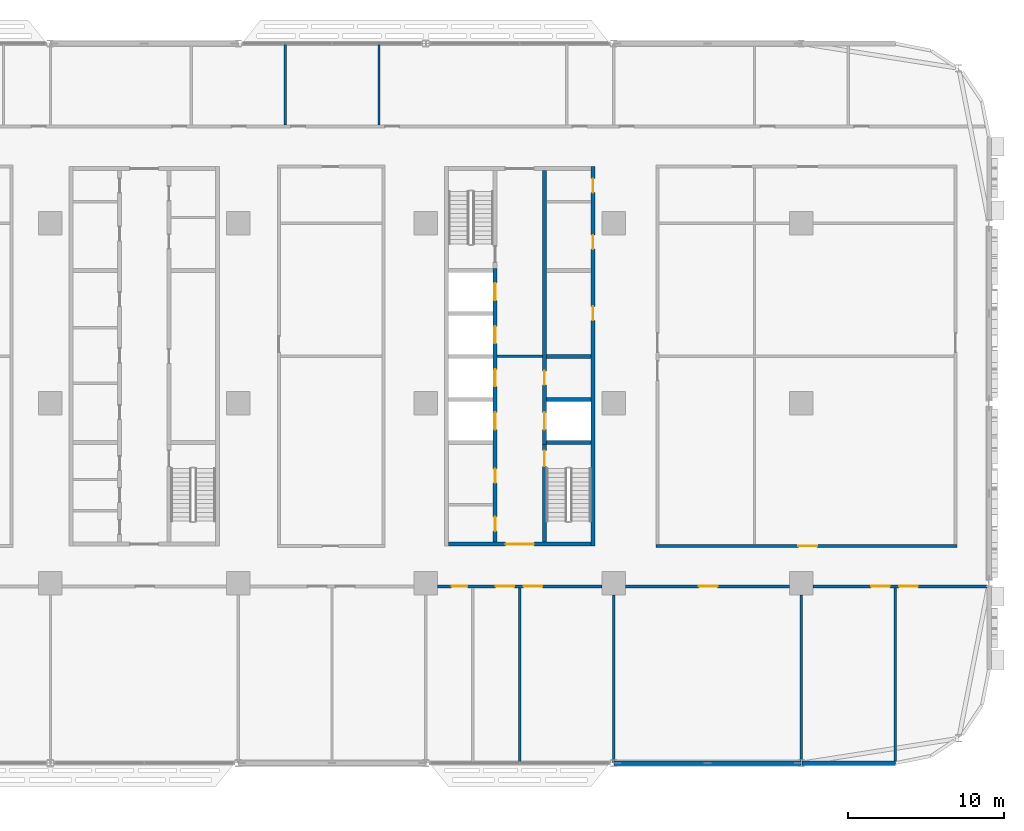
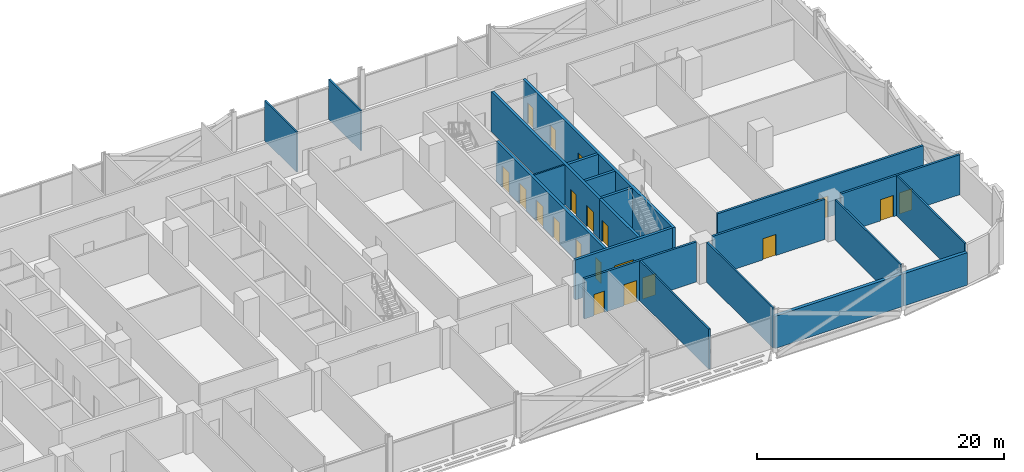
# One storey, part 17 of 30: 21 walls, 20 doors, 20 openings.
"""IFC4 building model written with IfcOpenShell, lengths in metres."""

from ifc_helpers import new_model, si_unit, direction, frame, frame_2d, origin, place, context, subcontext, project, spatial, rectangle, extrude, material, layer, layer_set, type_object, element, fill, save


model = new_model("IFC4")

# Units and contexts
model_context = context("Model", 3, precision=1e-05, world=origin(), true_north=direction((0.0, 1.0)))
body_context = subcontext(model_context, "Body", "Model", "MODEL_VIEW")
ifc_project = project(units=[si_unit("LENGTHUNIT", "METRE"), si_unit("AREAUNIT", "SQUARE_METRE"), si_unit("VOLUMEUNIT", "CUBIC_METRE"), si_unit("PLANEANGLEUNIT", "RADIAN"), si_unit("MASSUNIT", "GRAM", prefix="KILO")], contexts=[model_context])

# Site, building, storey
site_placement = place(None, origin())
site = spatial("IfcSite", under=ifc_project, at=site_placement, CompositionType="ELEMENT")
building_placement = place(site_placement, origin())
building = spatial("IfcBuilding", under=site, at=building_placement, Name="Mahtab Terrace Research Tower", CompositionType="ELEMENT")
storey_placement = place(building_placement, frame((0.0, 0.0, 50.300048828125)))
storey = spatial("IfcBuildingStorey", under=building, at=storey_placement, Name="L11", CompositionType="ELEMENT", Elevation=50.300048828125)

# Wall
ifc_material_1 = material(Name="Gypsum board partition")
ifc_layer_1 = layer(ifc_material_1, 0.14990234375)
ifc_layer_set_1 = layer_set([ifc_layer_1], Name="Core partition 150")
wall_type_1 = type_object("IfcWallType", Name="Core partition 150", PredefinedType="PARTITIONING", material=ifc_layer_set_1)
wall_1_placement = place(storey_placement, frame((22.550048828125, 3.0, 0.0), z_axis=(0.0, 0.0, 1.0), x_axis=(1.0, 0.0, 0.0)))
element("IfcWall", 1, at=wall_1_placement, inside=storey, type_object=wall_type_1, Name="Core wall C ffl", PredefinedType="PARTITIONING", context=body_context, shape_type="SweptSolid", body=[
    extrude(rectangle(XDim=2.89990234375, YDim=0.14990234375, at=frame_2d((1.449951171875, 0.0))), origin(), (0.0, 0.0, 1.0), 3.9599609375),
])

# Wall, openings, doors
ifc_material_2 = material(Name="Concrete C70/85", Category="concrete")
ifc_layer_2 = layer(ifc_material_2, 0.25)
ifc_layer_set_2 = layer_set([ifc_layer_2], Name="Core wall 250")
wall_type_2 = type_object("IfcWallType", Name="Core wall 250", PredefinedType="SOLIDWALL", material=ifc_layer_set_2)
wall_2_placement = place(storey_placement, frame((28.675048828125, -9.125, 0.0), z_axis=(0.0, 0.0, 1.0), x_axis=(0.0, 1.0, 0.0)))
wall_2 = element("IfcWall", 2, at=wall_2_placement, inside=storey, type_object=wall_type_2, Name="Core wall C outerE", PredefinedType="SOLIDWALL", context=body_context, shape_type="SweptSolid", body=[
    extrude(rectangle(XDim=24.25, YDim=0.25, at=frame_2d((12.125, 0.0))), origin(), (0.0, 0.0, 1.0), 3.9599609375),
])
opening_1_placement = place(wall_2_placement, frame((14.425048828125, 0.0, 0.0)))
opening_1 = element("IfcOpeningElement", 3, at=opening_1_placement, cuts=wall_2, Name="Opening C-R2", PredefinedType="OPENING", context=body_context, shape_type="SweptSolid", body=[
    extrude(rectangle(XDim=0.89990234375, YDim=2.10009765625, at=frame_2d((0.449951171875, 1.050048828125))), frame((0.0, 0.135009765625, 0.0), z_axis=(0.0, -1.0, 0.0), x_axis=(1.0, 0.0, 0.0)), (0.0, 0.0, 1.0), 0.27001953125),
])
opening_2_placement = place(wall_2_placement, frame((18.97509765625, 0.0, 0.0)))
opening_2 = element("IfcOpeningElement", 4, at=opening_2_placement, cuts=wall_2, Name="Opening C-R5", PredefinedType="OPENING", context=body_context, shape_type="SweptSolid", body=[
    extrude(rectangle(XDim=0.89990234375, YDim=2.10009765625, at=frame_2d((0.449951171875, 1.050048828125))), frame((0.0, 0.135009765625, 0.0), z_axis=(0.0, -1.0, 0.0), x_axis=(1.0, 0.0, 0.0)), (0.0, 0.0, 1.0), 0.27001953125),
])
opening_3_placement = place(wall_2_placement, frame((22.58740234375, 0.0, 0.0)))
opening_3 = element("IfcOpeningElement", 5, at=opening_3_placement, cuts=wall_2, Name="Opening C-R6", PredefinedType="OPENING", context=body_context, shape_type="SweptSolid", body=[
    extrude(rectangle(XDim=0.89990234375, YDim=2.10009765625, at=frame_2d((0.449951171875, 1.050048828125))), frame((0.0, 0.135009765625, 0.0), z_axis=(0.0, -1.0, 0.0), x_axis=(1.0, 0.0, 0.0)), (0.0, 0.0, 1.0), 0.27001953125),
])
ifc_material_3 = material(Name="Steel fire door", Category="steel")
door_type_1 = type_object("IfcDoorType", Name="Room door 900x2100 1 HR", OperationType="NOTDEFINED", PredefinedType="DOOR", material=ifc_material_3)
door_1_placement = place(opening_1_placement, origin())
door_1 = element("IfcDoor", 6, at=door_1_placement, inside=storey, type_object=door_type_1, Name="Plant room door", OperationType="SINGLE_SWING_RIGHT", OverallHeight=2.10009765625, OverallWidth=0.89990234375, PredefinedType="DOOR", context=body_context, shape_type="SweptSolid", body=[
    extrude(rectangle(XDim=0.89990234375, YDim=2.10009765625, at=frame_2d((0.449951171875, 1.050048828125))), frame((0.0, 0.02490234375, 0.0), z_axis=(0.0, -1.0, 0.0), x_axis=(1.0, 0.0, 0.0)), (0.0, 0.0, 1.0), 0.050048828125),
])
fill(opening_1, door_1)
door_2_placement = place(opening_2_placement, origin())
door_2 = element("IfcDoor", 7, at=door_2_placement, inside=storey, type_object=door_type_1, Name="IT equipment room door", OperationType="SINGLE_SWING_LEFT", OverallHeight=2.10009765625, OverallWidth=0.89990234375, PredefinedType="DOOR", context=body_context, shape_type="SweptSolid", body=[
    extrude(rectangle(XDim=0.89990234375, YDim=2.10009765625, at=frame_2d((0.449951171875, 1.050048828125))), frame((0.0, 0.02490234375, 0.0), z_axis=(0.0, -1.0, 0.0), x_axis=(1.0, 0.0, 0.0)), (0.0, 0.0, 1.0), 0.050048828125),
])
fill(opening_2, door_2)
door_3_placement = place(opening_3_placement, origin())
door_3 = element("IfcDoor", 8, at=door_3_placement, inside=storey, type_object=door_type_1, Name="Electrical riser room door", OperationType="SINGLE_SWING_RIGHT", OverallHeight=2.10009765625, OverallWidth=0.89990234375, PredefinedType="DOOR", context=body_context, shape_type="SweptSolid", body=[
    extrude(rectangle(XDim=0.89990234375, YDim=2.10009765625, at=frame_2d((0.449951171875, 1.050048828125))), frame((0.0, 0.02490234375, 0.0), z_axis=(0.0, -1.0, 0.0), x_axis=(1.0, 0.0, 0.0)), (0.0, 0.0, 1.0), 0.050048828125),
])
fill(opening_3, door_3)

# Wall, opening, door
wall_3_placement = place(storey_placement, frame((28.550048828125, -9.0, 0.0), z_axis=(0.0, 0.0, 1.0), x_axis=(-1.0, 0.0, 0.0)))
wall_3 = element("IfcWall", 9, at=wall_3_placement, inside=storey, type_object=wall_type_2, Name="Core wall C endS", PredefinedType="SOLIDWALL", context=body_context, shape_type="SweptSolid", body=[
    extrude(rectangle(XDim=9.10009765625, YDim=0.25, at=frame_2d((4.550048828125, 0.0))), origin(), (0.0, 0.0, 1.0), 3.9599609375),
])
opening_4_placement = place(wall_3_placement, frame((3.64990234375, 0.0, 0.0)))
opening_4 = element("IfcOpeningElement", 10, at=opening_4_placement, cuts=wall_3, Name="Opening C-S1", PredefinedType="OPENING", context=body_context, shape_type="SweptSolid", body=[
    extrude(rectangle(XDim=1.800048828125, YDim=2.10009765625, at=frame_2d((0.89990234375, 1.050048828125))), frame((0.0, 0.135009765625, 0.0), z_axis=(0.0, -1.0, 0.0), x_axis=(1.0, 0.0, 0.0)), (0.0, 0.0, 1.0), 0.27001953125),
])
door_type_2 = type_object("IfcDoorType", Name="Lobby double door 1800x2100 1 HR", OperationType="DOUBLE_DOOR_SINGLE_SWING", PredefinedType="DOOR", material=ifc_material_3)
door_4_placement = place(opening_4_placement, origin())
door_4 = element("IfcDoor", 11, at=door_4_placement, inside=storey, type_object=door_type_2, Name="Core entrance door C S", OperationType="DOUBLE_DOOR_SINGLE_SWING", OverallHeight=2.10009765625, OverallWidth=1.800048828125, PredefinedType="DOOR", context=body_context, shape_type="SweptSolid", body=[
    extrude(rectangle(XDim=1.800048828125, YDim=2.10009765625, at=frame_2d((0.89990234375, 1.050048828125))), frame((0.0, 0.02490234375, 0.0), z_axis=(0.0, -1.0, 0.0), x_axis=(1.0, 0.0, 0.0)), (0.0, 0.0, 1.0), 0.050048828125),
])
fill(opening_4, door_4)

# Wall, openings, doors
wall_4_placement = place(storey_placement, frame((22.425048828125, -8.875, 0.0), z_axis=(0.0, 0.0, 1.0), x_axis=(0.0, 1.0, 0.0)))
wall_4 = element("IfcWall", 12, at=wall_4_placement, inside=storey, type_object=wall_type_2, Name="Core wall C innerWSL", PredefinedType="SOLIDWALL", context=body_context, shape_type="SweptSolid", body=[
    extrude(rectangle(XDim=17.5, YDim=0.25, at=frame_2d((8.75, 0.0))), origin(), (0.0, 0.0, 1.0), 3.9599609375),
])
opening_5_placement = place(wall_4_placement, frame((7.199951171875, 0.0, 0.0)))
opening_5 = element("IfcOpeningElement", 13, at=opening_5_placement, cuts=wall_4, Name="Opening LD17-L11", PredefinedType="OPENING", context=body_context, shape_type="SweptSolid", body=[
    extrude(rectangle(XDim=1.10009765625, YDim=2.10009765625, at=frame_2d((0.550048828125, 1.050048828125))), frame((0.0, 0.135009765625, 0.0), z_axis=(0.0, -1.0, 0.0), x_axis=(1.0, 0.0, 0.0)), (0.0, 0.0, 1.0), 0.27001953125),
])
opening_6_placement = place(wall_4_placement, frame((9.949951171875, 0.0, 0.0)))
opening_6 = element("IfcOpeningElement", 14, at=opening_6_placement, cuts=wall_4, Name="Opening LD18-L11", PredefinedType="OPENING", context=body_context, shape_type="SweptSolid", body=[
    extrude(rectangle(XDim=1.10009765625, YDim=2.10009765625, at=frame_2d((0.550048828125, 1.050048828125))), frame((0.0, 0.135009765625, 0.0), z_axis=(0.0, -1.0, 0.0), x_axis=(1.0, 0.0, 0.0)), (0.0, 0.0, 1.0), 0.27001953125),
])
opening_7_placement = place(wall_4_placement, frame((12.699951171875, 0.0, 0.0)))
opening_7 = element("IfcOpeningElement", 15, at=opening_7_placement, cuts=wall_4, Name="Opening LD19-L11", PredefinedType="OPENING", context=body_context, shape_type="SweptSolid", body=[
    extrude(rectangle(XDim=1.10009765625, YDim=2.10009765625, at=frame_2d((0.550048828125, 1.050048828125))), frame((0.0, 0.135009765625, 0.0), z_axis=(0.0, -1.0, 0.0), x_axis=(1.0, 0.0, 0.0)), (0.0, 0.0, 1.0), 0.27001953125),
])
opening_8_placement = place(wall_4_placement, frame((15.449951171875, 0.0, 0.0)))
opening_8 = element("IfcOpeningElement", 16, at=opening_8_placement, cuts=wall_4, Name="Opening LD20-L11", PredefinedType="OPENING", context=body_context, shape_type="SweptSolid", body=[
    extrude(rectangle(XDim=1.10009765625, YDim=2.10009765625, at=frame_2d((0.550048828125, 1.050048828125))), frame((0.0, 0.135009765625, 0.0), z_axis=(0.0, -1.0, 0.0), x_axis=(1.0, 0.0, 0.0)), (0.0, 0.0, 1.0), 0.27001953125),
])
opening_9_placement = place(wall_4_placement, frame((0.71240234375, 0.0, 0.0)))
opening_9 = element("IfcOpeningElement", 17, at=opening_9_placement, cuts=wall_4, Name="Opening C-R3", PredefinedType="OPENING", context=body_context, shape_type="SweptSolid", body=[
    extrude(rectangle(XDim=0.89990234375, YDim=2.10009765625, at=frame_2d((0.449951171875, 1.050048828125))), frame((0.0, 0.135009765625, 0.0), z_axis=(0.0, -1.0, 0.0), x_axis=(1.0, 0.0, 0.0)), (0.0, 0.0, 1.0), 0.27001953125),
])
opening_10_placement = place(wall_4_placement, frame((3.78759765625, 0.0, 0.0)))
opening_10 = element("IfcOpeningElement", 18, at=opening_10_placement, cuts=wall_4, Name="Opening C-R4", PredefinedType="OPENING", context=body_context, shape_type="SweptSolid", body=[
    extrude(rectangle(XDim=0.89990234375, YDim=2.10009765625, at=frame_2d((0.449951171875, 1.050048828125))), frame((0.0, 0.135009765625, 0.0), z_axis=(0.0, -1.0, 0.0), x_axis=(1.0, 0.0, 0.0)), (0.0, 0.0, 1.0), 0.27001953125),
])
ifc_material_4 = material(Name="Stainless steel AISI 304", Category="steel")
door_type_3 = type_object("IfcDoorType", Name="Landing door 1100x2100", OperationType="DOUBLE_DOOR_SLIDING", PredefinedType="DOOR", material=ifc_material_4)
door_5_placement = place(opening_5_placement, origin())
door_5 = element("IfcDoor", 19, at=door_5_placement, inside=storey, type_object=door_type_3, Name="Landing door SV1 L11", OperationType="DOUBLE_DOOR_SLIDING", OverallHeight=2.10009765625, OverallWidth=1.10009765625, PredefinedType="DOOR", context=body_context, shape_type="SweptSolid", body=[
    extrude(rectangle(XDim=1.10009765625, YDim=2.10009765625, at=frame_2d((0.550048828125, 1.050048828125))), frame((0.0, 0.02490234375, 0.0), z_axis=(0.0, -1.0, 0.0), x_axis=(1.0, 0.0, 0.0)), (0.0, 0.0, 1.0), 0.050048828125),
])
fill(opening_5, door_5)
door_6_placement = place(opening_6_placement, origin())
door_6 = element("IfcDoor", 20, at=door_6_placement, inside=storey, type_object=door_type_3, Name="Landing door SV2 L11", OperationType="DOUBLE_DOOR_SLIDING", OverallHeight=2.10009765625, OverallWidth=1.10009765625, PredefinedType="DOOR", context=body_context, shape_type="SweptSolid", body=[
    extrude(rectangle(XDim=1.10009765625, YDim=2.10009765625, at=frame_2d((0.550048828125, 1.050048828125))), frame((0.0, 0.02490234375, 0.0), z_axis=(0.0, -1.0, 0.0), x_axis=(1.0, 0.0, 0.0)), (0.0, 0.0, 1.0), 0.050048828125),
])
fill(opening_6, door_6)
door_7_placement = place(opening_7_placement, origin())
door_7 = element("IfcDoor", 21, at=door_7_placement, inside=storey, type_object=door_type_3, Name="Landing door FF1 L11", OperationType="DOUBLE_DOOR_SLIDING", OverallHeight=2.10009765625, OverallWidth=1.10009765625, PredefinedType="DOOR", context=body_context, shape_type="SweptSolid", body=[
    extrude(rectangle(XDim=1.10009765625, YDim=2.10009765625, at=frame_2d((0.550048828125, 1.050048828125))), frame((0.0, 0.02490234375, 0.0), z_axis=(0.0, -1.0, 0.0), x_axis=(1.0, 0.0, 0.0)), (0.0, 0.0, 1.0), 0.050048828125),
])
fill(opening_7, door_7)
door_8_placement = place(opening_8_placement, origin())
door_8 = element("IfcDoor", 22, at=door_8_placement, inside=storey, type_object=door_type_3, Name="Landing door FF2 L11", OperationType="DOUBLE_DOOR_SLIDING", OverallHeight=2.10009765625, OverallWidth=1.10009765625, PredefinedType="DOOR", context=body_context, shape_type="SweptSolid", body=[
    extrude(rectangle(XDim=1.10009765625, YDim=2.10009765625, at=frame_2d((0.550048828125, 1.050048828125))), frame((0.0, 0.02490234375, 0.0), z_axis=(0.0, -1.0, 0.0), x_axis=(1.0, 0.0, 0.0)), (0.0, 0.0, 1.0), 0.050048828125),
])
fill(opening_8, door_8)
door_9_placement = place(opening_9_placement, origin())
door_9 = element("IfcDoor", 23, at=door_9_placement, inside=storey, type_object=door_type_1, Name="Accessible WC door", OperationType="SINGLE_SWING_LEFT", OverallHeight=2.10009765625, OverallWidth=0.89990234375, PredefinedType="DOOR", context=body_context, shape_type="SweptSolid", body=[
    extrude(rectangle(XDim=0.89990234375, YDim=2.10009765625, at=frame_2d((0.449951171875, 1.050048828125))), frame((0.0, 0.02490234375, 0.0), z_axis=(0.0, -1.0, 0.0), x_axis=(1.0, 0.0, 0.0)), (0.0, 0.0, 1.0), 0.050048828125),
])
fill(opening_9, door_9)
door_10_placement = place(opening_10_placement, origin())
door_10 = element("IfcDoor", 24, at=door_10_placement, inside=storey, type_object=door_type_1, Name="WC block door", OperationType="SINGLE_SWING_RIGHT", OverallHeight=2.10009765625, OverallWidth=0.89990234375, PredefinedType="DOOR", context=body_context, shape_type="SweptSolid", body=[
    extrude(rectangle(XDim=0.89990234375, YDim=2.10009765625, at=frame_2d((0.449951171875, 1.050048828125))), frame((0.0, 0.02490234375, 0.0), z_axis=(0.0, -1.0, 0.0), x_axis=(1.0, 0.0, 0.0)), (0.0, 0.0, 1.0), 0.050048828125),
])
fill(opening_10, door_10)

# Wall, opening, door
wall_5_placement = place(storey_placement, frame((25.574951171875, -8.875, 0.0), z_axis=(0.0, 0.0, 1.0), x_axis=(0.0, 1.0, 0.0)))
wall_5 = element("IfcWall", 25, at=wall_5_placement, inside=storey, type_object=wall_type_2, Name="Core wall C innerES", PredefinedType="SOLIDWALL", context=body_context, shape_type="SweptSolid", body=[
    extrude(rectangle(XDim=6.25, YDim=0.25, at=frame_2d((3.125, 0.0))), origin(), (0.0, 0.0, 1.0), 3.9599609375),
])
opening_11_placement = place(wall_5_placement, frame((4.85009765625, 0.0, 0.0)))
opening_11 = element("IfcOpeningElement", 26, at=opening_11_placement, cuts=wall_5, Name="Opening C-ST4", PredefinedType="OPENING", context=body_context, shape_type="SweptSolid", body=[
    extrude(rectangle(XDim=1.0, YDim=2.10009765625, at=frame_2d((0.5, 1.050048828125))), frame((0.0, 0.135009765625, 0.0), z_axis=(0.0, -1.0, 0.0), x_axis=(1.0, 0.0, 0.0)), (0.0, 0.0, 1.0), 0.27001953125),
])
door_type_4 = type_object("IfcDoorType", Name="Stair door 1000x2100 1.5 HR", OperationType="NOTDEFINED", PredefinedType="DOOR", material=ifc_material_3)
door_11_placement = place(opening_11_placement, origin())
door_11 = element("IfcDoor", 27, at=door_11_placement, inside=storey, type_object=door_type_4, Name="Stair door ST4 L11", OperationType="SINGLE_SWING_RIGHT", OverallHeight=2.10009765625, OverallWidth=1.0, PredefinedType="DOOR", context=body_context, shape_type="SweptSolid", body=[
    extrude(rectangle(XDim=1.0, YDim=2.10009765625, at=frame_2d((0.5, 1.050048828125))), frame((0.0, 0.02490234375, 0.0), z_axis=(0.0, -1.0, 0.0), x_axis=(1.0, 0.0, 0.0)), (0.0, 0.0, 1.0), 0.050048828125),
])
fill(opening_11, door_11)

# Wall, openings, doors
wall_6_placement = place(storey_placement, frame((25.574951171875, 14.875, 0.0), z_axis=(0.0, 0.0, 1.0), x_axis=(0.0, -1.0, 0.0)))
wall_6 = element("IfcWall", 28, at=wall_6_placement, inside=storey, type_object=wall_type_2, Name="Core wall C innerELN", PredefinedType="SOLIDWALL", context=body_context, shape_type="SweptSolid", body=[
    extrude(rectangle(XDim=17.5, YDim=0.25, at=frame_2d((8.75, 0.0))), origin(), (0.0, 0.0, 1.0), 3.9599609375),
])
opening_12_placement = place(wall_6_placement, frame((15.449951171875, 0.0, 0.0)))
opening_12 = element("IfcOpeningElement", 29, at=opening_12_placement, cuts=wall_6, Name="Opening LD21-L11", PredefinedType="OPENING", context=body_context, shape_type="SweptSolid", body=[
    extrude(rectangle(XDim=1.10009765625, YDim=2.10009765625, at=frame_2d((0.550048828125, 1.050048828125))), frame((0.0, 0.135009765625, 0.0), z_axis=(0.0, -1.0, 0.0), x_axis=(1.0, 0.0, 0.0)), (0.0, 0.0, 1.0), 0.27001953125),
])
opening_13_placement = place(wall_6_placement, frame((12.800048828125, 0.0, 0.0)))
opening_13 = element("IfcOpeningElement", 30, at=opening_13_placement, cuts=wall_6, Name="Opening C-R1", PredefinedType="OPENING", context=body_context, shape_type="SweptSolid", body=[
    extrude(rectangle(XDim=0.89990234375, YDim=2.10009765625, at=frame_2d((0.449951171875, 1.050048828125))), frame((0.0, 0.135009765625, 0.0), z_axis=(0.0, -1.0, 0.0), x_axis=(1.0, 0.0, 0.0)), (0.0, 0.0, 1.0), 0.27001953125),
])
door_12_placement = place(opening_12_placement, origin())
door_12 = element("IfcDoor", 31, at=door_12_placement, inside=storey, type_object=door_type_3, Name="Landing door SV3 L11", OperationType="DOUBLE_DOOR_SLIDING", OverallHeight=2.10009765625, OverallWidth=1.10009765625, PredefinedType="DOOR", context=body_context, shape_type="SweptSolid", body=[
    extrude(rectangle(XDim=1.10009765625, YDim=2.10009765625, at=frame_2d((0.550048828125, 1.050048828125))), frame((0.0, 0.02490234375, 0.0), z_axis=(0.0, -1.0, 0.0), x_axis=(1.0, 0.0, 0.0)), (0.0, 0.0, 1.0), 0.050048828125),
])
fill(opening_12, door_12)
door_13_placement = place(opening_13_placement, origin())
door_13 = element("IfcDoor", 32, at=door_13_placement, inside=storey, type_object=door_type_1, Name="Plant room door", OperationType="SINGLE_SWING_LEFT", OverallHeight=2.10009765625, OverallWidth=0.89990234375, PredefinedType="DOOR", context=body_context, shape_type="SweptSolid", body=[
    extrude(rectangle(XDim=0.89990234375, YDim=2.10009765625, at=frame_2d((0.449951171875, 1.050048828125))), frame((0.0, 0.02490234375, 0.0), z_axis=(0.0, -1.0, 0.0), x_axis=(1.0, 0.0, 0.0)), (0.0, 0.0, 1.0), 0.050048828125),
])
fill(opening_13, door_13)

# Walls
for number, where, z_axis, x_axis, name in (
    (33, (25.699951171875, -2.5, 0.0), (0.0, 0.0, 1.0), (1.0, 0.0, 0.0), "Core wall C divE0"),
    (34, (25.699951171875, 0.25, 0.0), (0.0, 0.0, 1.0), (1.0, 0.0, 0.0), "Core wall C divE1"),
    (35, (25.699951171875, 3.0, 0.0), (0.0, 0.0, 1.0), (1.0, 0.0, 0.0), "Core wall C divE2"),
):
    element("IfcWall", number, at=place(storey_placement, frame(where, z_axis=z_axis, x_axis=x_axis)), inside=storey, type_object=wall_type_2, Name=name, PredefinedType="SOLIDWALL", context=body_context, shape_type="SweptSolid", body=[
        extrude(rectangle(XDim=2.85009765625, YDim=0.25, at=frame_2d((1.425048828125, 0.0))), origin(), (0.0, 0.0, 1.0), 3.9599609375),
    ])
ifc_material_5 = material(Name="Black aluminium cladding panel", Category="aluminium")
ifc_layer_3 = layer(ifc_material_5, 0.300048828125)
ifc_layer_set_3 = layer_set([ifc_layer_3], Name="Opaque facade wall 300")
wall_type_3 = type_object("IfcWallType", Name="Opaque facade wall 300", PredefinedType="NOTDEFINED", material=ifc_layer_set_3)
wall_7_placement = place(storey_placement, frame((30.02392578125, -23.0, 0.0), z_axis=(0.0, 0.0, 1.0), x_axis=(1.0, 0.0, 0.0)))
element("IfcWall", 36, at=wall_7_placement, inside=storey, type_object=wall_type_3, Name="Opaque facade wall L11 S29", PredefinedType="NOTDEFINED", context=body_context, shape_type="SweptSolid", body=[
    extrude(rectangle(XDim=11.9521484375, YDim=0.300048828125, at=frame_2d((5.97607421875, 0.0))), origin(), (0.0, 0.0, 1.0), 3.203125),
])
wall_8_placement = place(storey_placement, frame((42.02392578125, -23.0, 0.0), z_axis=(0.0, 0.0, 1.0), x_axis=(1.0, 0.0, 0.0)))
element("IfcWall", 37, at=wall_8_placement, inside=storey, type_object=wall_type_3, Name="Opaque facade wall L11 S30", PredefinedType="NOTDEFINED", context=body_context, shape_type="SweptSolid", body=[
    extrude(rectangle(XDim=5.97607421875, YDim=0.300048828125, at=frame_2d((2.988037109375, 0.0))), origin(), (0.0, 0.0, 1.0), 3.203125),
])

# Wall, openings, doors
ifc_material_6 = material(Name="Gypsum board corridor wall on steel studs", Category="steel")
ifc_layer_4 = layer(ifc_material_6, 0.199951171875)
ifc_layer_set_4 = layer_set([ifc_layer_4], Name="WALL CORRIDOR 200")
wall_type_4 = type_object("IfcWallType", Name="WALL CORRIDOR 200", PredefinedType="PARTITIONING", material=ifc_layer_set_4)
wall_9_placement = place(storey_placement, frame((18.75, -11.699951171875, 0.0), z_axis=(0.0, 0.0, 1.0), x_axis=(1.0, 0.0, 0.0)))
wall_9 = element("IfcWall", 38, at=wall_9_placement, inside=storey, type_object=wall_type_4, Name="L11-W006", PredefinedType="PARTITIONING", context=body_context, shape_type="SweptSolid", body=[
    extrude(rectangle(XDim=10.5, YDim=0.199951171875, at=frame_2d((5.25, 0.0))), origin(), (0.0, 0.0, 1.0), 3.9599609375),
])
opening_14_placement = place(wall_9_placement, frame((0.89990234375, 0.0, 0.0)))
opening_14 = element("IfcOpeningElement", 39, at=opening_14_placement, cuts=wall_9, Name="Opening L11-110", PredefinedType="OPENING", context=body_context, shape_type="SweptSolid", body=[
    extrude(rectangle(XDim=1.0, YDim=2.10009765625, at=frame_2d((0.5, 1.050048828125))), frame((0.0, 0.10986328125, 0.0), z_axis=(0.0, -1.0, 0.0), x_axis=(1.0, 0.0, 0.0)), (0.0, 0.0, 1.0), 0.219970703125),
])
opening_15_placement = place(wall_9_placement, frame((3.699951171875, 0.0, 0.0)))
opening_15 = element("IfcOpeningElement", 40, at=opening_15_placement, cuts=wall_9, Name="Opening L11-111", PredefinedType="OPENING", context=body_context, shape_type="SweptSolid", body=[
    extrude(rectangle(XDim=1.199951171875, YDim=2.10009765625, at=frame_2d((0.60009765625, 1.050048828125))), frame((0.0, 0.10986328125, 0.0), z_axis=(0.0, -1.0, 0.0), x_axis=(1.0, 0.0, 0.0)), (0.0, 0.0, 1.0), 0.219970703125),
])
opening_16_placement = place(wall_9_placement, frame((5.5, 0.0, 0.0)))
opening_16 = element("IfcOpeningElement", 41, at=opening_16_placement, cuts=wall_9, Name="Opening L11-112", PredefinedType="OPENING", context=body_context, shape_type="SweptSolid", body=[
    extrude(rectangle(XDim=1.199951171875, YDim=2.10009765625, at=frame_2d((0.60009765625, 1.050048828125))), frame((0.0, 0.10986328125, 0.0), z_axis=(0.0, -1.0, 0.0), x_axis=(1.0, 0.0, 0.0)), (0.0, 0.0, 1.0), 0.219970703125),
])
ifc_material_7 = material(Name="Timber door leaf in steel frame", Category="steel")
door_type_5 = type_object("IfcDoorType", Name="DOOR 1000X2100 FD30S", OperationType="SINGLE_SWING_LEFT", PredefinedType="DOOR", material=ifc_material_7)
door_14_placement = place(opening_14_placement, origin())
door_14 = element("IfcDoor", 42, at=door_14_placement, inside=storey, type_object=door_type_5, Name="Door L11-110", OperationType="SINGLE_SWING_RIGHT", OverallHeight=2.10009765625, OverallWidth=1.0, PredefinedType="DOOR", context=body_context, shape_type="SweptSolid", body=[
    extrude(rectangle(XDim=1.0, YDim=2.10009765625, at=frame_2d((0.5, 1.050048828125))), frame((0.0, 0.02490234375, 0.0), z_axis=(0.0, -1.0, 0.0), x_axis=(1.0, 0.0, 0.0)), (0.0, 0.0, 1.0), 0.050048828125),
])
fill(opening_14, door_14)
door_type_6 = type_object("IfcDoorType", Name="DOOR 1200X2100 FD30S", OperationType="SINGLE_SWING_LEFT", PredefinedType="DOOR", material=ifc_material_7)
door_15_placement = place(opening_15_placement, origin())
door_15 = element("IfcDoor", 43, at=door_15_placement, inside=storey, type_object=door_type_6, Name="Door L11-111", OperationType="SINGLE_SWING_RIGHT", OverallHeight=2.10009765625, OverallWidth=1.199951171875, PredefinedType="DOOR", context=body_context, shape_type="SweptSolid", body=[
    extrude(rectangle(XDim=1.199951171875, YDim=2.10009765625, at=frame_2d((0.60009765625, 1.050048828125))), frame((0.0, 0.02490234375, 0.0), z_axis=(0.0, -1.0, 0.0), x_axis=(1.0, 0.0, 0.0)), (0.0, 0.0, 1.0), 0.050048828125),
])
fill(opening_15, door_15)
door_16_placement = place(opening_16_placement, origin())
door_16 = element("IfcDoor", 44, at=door_16_placement, inside=storey, type_object=door_type_6, Name="Door L11-112", OperationType="SINGLE_SWING_LEFT", OverallHeight=2.10009765625, OverallWidth=1.199951171875, PredefinedType="DOOR", context=body_context, shape_type="SweptSolid", body=[
    extrude(rectangle(XDim=1.199951171875, YDim=2.10009765625, at=frame_2d((0.60009765625, 1.050048828125))), frame((0.0, 0.02490234375, 0.0), z_axis=(0.0, -1.0, 0.0), x_axis=(1.0, 0.0, 0.0)), (0.0, 0.0, 1.0), 0.050048828125),
])
fill(opening_16, door_16)

# Wall, opening, door
wall_10_placement = place(storey_placement, frame((30.75, -11.699951171875, 0.0), z_axis=(0.0, 0.0, 1.0), x_axis=(1.0, 0.0, 0.0)))
wall_10 = element("IfcWall", 45, at=wall_10_placement, inside=storey, type_object=wall_type_4, Name="L11-W007", PredefinedType="PARTITIONING", context=body_context, shape_type="SweptSolid", body=[
    extrude(rectangle(XDim=10.5, YDim=0.199951171875, at=frame_2d((5.25, 0.0))), origin(), (0.0, 0.0, 1.0), 3.9599609375),
])
opening_17_placement = place(wall_10_placement, frame((4.699951171875, 0.0, 0.0)))
opening_17 = element("IfcOpeningElement", 46, at=opening_17_placement, cuts=wall_10, Name="Opening L11-113", PredefinedType="OPENING", context=body_context, shape_type="SweptSolid", body=[
    extrude(rectangle(XDim=1.199951171875, YDim=2.10009765625, at=frame_2d((0.60009765625, 1.050048828125))), frame((0.0, 0.10986328125, 0.0), z_axis=(0.0, -1.0, 0.0), x_axis=(1.0, 0.0, 0.0)), (0.0, 0.0, 1.0), 0.219970703125),
])
door_17_placement = place(opening_17_placement, origin())
door_17 = element("IfcDoor", 47, at=door_17_placement, inside=storey, type_object=door_type_6, Name="Door L11-113", OperationType="SINGLE_SWING_LEFT", OverallHeight=2.10009765625, OverallWidth=1.199951171875, PredefinedType="DOOR", context=body_context, shape_type="SweptSolid", body=[
    extrude(rectangle(XDim=1.199951171875, YDim=2.10009765625, at=frame_2d((0.60009765625, 1.050048828125))), frame((0.0, 0.02490234375, 0.0), z_axis=(0.0, -1.0, 0.0), x_axis=(1.0, 0.0, 0.0)), (0.0, 0.0, 1.0), 0.050048828125),
])
fill(opening_17, door_17)

# Wall, openings, doors
wall_11_placement = place(storey_placement, frame((42.75, -11.699951171875, 0.0), z_axis=(0.0, 0.0, 1.0), x_axis=(1.0, 0.0, 0.0)))
wall_11 = element("IfcWall", 48, at=wall_11_placement, inside=storey, type_object=wall_type_4, Name="L11-W008", PredefinedType="PARTITIONING", context=body_context, shape_type="SweptSolid", body=[
    extrude(rectangle(XDim=11.10009765625, YDim=0.199951171875, at=frame_2d((5.550048828125, 0.0))), origin(), (0.0, 0.0, 1.0), 3.9599609375),
])
opening_18_placement = place(wall_11_placement, frame((3.699951171875, 0.0, 0.0)))
opening_18 = element("IfcOpeningElement", 49, at=opening_18_placement, cuts=wall_11, Name="Opening L11-114", PredefinedType="OPENING", context=body_context, shape_type="SweptSolid", body=[
    extrude(rectangle(XDim=1.199951171875, YDim=2.10009765625, at=frame_2d((0.60009765625, 1.050048828125))), frame((0.0, 0.10986328125, 0.0), z_axis=(0.0, -1.0, 0.0), x_axis=(1.0, 0.0, 0.0)), (0.0, 0.0, 1.0), 0.219970703125),
])
opening_19_placement = place(wall_11_placement, frame((5.5, 0.0, 0.0)))
opening_19 = element("IfcOpeningElement", 50, at=opening_19_placement, cuts=wall_11, Name="Opening L11-115", PredefinedType="OPENING", context=body_context, shape_type="SweptSolid", body=[
    extrude(rectangle(XDim=1.199951171875, YDim=2.10009765625, at=frame_2d((0.60009765625, 1.050048828125))), frame((0.0, 0.10986328125, 0.0), z_axis=(0.0, -1.0, 0.0), x_axis=(1.0, 0.0, 0.0)), (0.0, 0.0, 1.0), 0.219970703125),
])
door_18_placement = place(opening_18_placement, origin())
door_18 = element("IfcDoor", 51, at=door_18_placement, inside=storey, type_object=door_type_6, Name="Door L11-114", OperationType="SINGLE_SWING_RIGHT", OverallHeight=2.10009765625, OverallWidth=1.199951171875, PredefinedType="DOOR", context=body_context, shape_type="SweptSolid", body=[
    extrude(rectangle(XDim=1.199951171875, YDim=2.10009765625, at=frame_2d((0.60009765625, 1.050048828125))), frame((0.0, 0.02490234375, 0.0), z_axis=(0.0, -1.0, 0.0), x_axis=(1.0, 0.0, 0.0)), (0.0, 0.0, 1.0), 0.050048828125),
])
fill(opening_18, door_18)
door_19_placement = place(opening_19_placement, origin())
door_19 = element("IfcDoor", 52, at=door_19_placement, inside=storey, type_object=door_type_6, Name="Door L11-115", OperationType="SINGLE_SWING_LEFT", OverallHeight=2.10009765625, OverallWidth=1.199951171875, PredefinedType="DOOR", context=body_context, shape_type="SweptSolid", body=[
    extrude(rectangle(XDim=1.199951171875, YDim=2.10009765625, at=frame_2d((0.60009765625, 1.050048828125))), frame((0.0, 0.02490234375, 0.0), z_axis=(0.0, -1.0, 0.0), x_axis=(1.0, 0.0, 0.0)), (0.0, 0.0, 1.0), 0.050048828125),
])
fill(opening_19, door_19)

# Wall, opening, door
wall_12_placement = place(storey_placement, frame((32.699951171875, -9.125, 0.0), z_axis=(0.0, 0.0, 1.0), x_axis=(1.0, 0.0, 0.0)))
wall_12 = element("IfcWall", 53, at=wall_12_placement, inside=storey, type_object=wall_type_4, Name="L11-W012", PredefinedType="PARTITIONING", context=body_context, shape_type="SweptSolid", body=[
    extrude(rectangle(XDim=19.25, YDim=0.199951171875, at=frame_2d((9.625, 0.0))), origin(), (0.0, 0.0, 1.0), 3.9599609375),
])
opening_20_placement = place(wall_12_placement, frame((9.10009765625, 0.0, 0.0)))
opening_20 = element("IfcOpeningElement", 54, at=opening_20_placement, cuts=wall_12, Name="Opening L11-120", PredefinedType="OPENING", context=body_context, shape_type="SweptSolid", body=[
    extrude(rectangle(XDim=1.199951171875, YDim=2.10009765625, at=frame_2d((0.60009765625, 1.050048828125))), frame((0.0, 0.10986328125, 0.0), z_axis=(0.0, -1.0, 0.0), x_axis=(1.0, 0.0, 0.0)), (0.0, 0.0, 1.0), 0.219970703125),
])
door_20_placement = place(opening_20_placement, origin())
door_20 = element("IfcDoor", 55, at=door_20_placement, inside=storey, type_object=door_type_6, Name="Door L11-120", OperationType="SINGLE_SWING_RIGHT", OverallHeight=2.10009765625, OverallWidth=1.199951171875, PredefinedType="DOOR", context=body_context, shape_type="SweptSolid", body=[
    extrude(rectangle(XDim=1.199951171875, YDim=2.10009765625, at=frame_2d((0.60009765625, 1.050048828125))), frame((0.0, 0.02490234375, 0.0), z_axis=(0.0, -1.0, 0.0), x_axis=(1.0, 0.0, 0.0)), (0.0, 0.0, 1.0), 0.050048828125),
])
fill(opening_20, door_20)

# Walls
ifc_material_8 = material(Name="Gypsum board partition on steel studs", Category="steel")
ifc_layer_5 = layer(ifc_material_8, 0.14990234375)
ifc_layer_set_5 = layer_set([ifc_layer_5], Name="WALL PARTITION 150")
wall_type_5 = type_object("IfcWallType", Name="WALL PARTITION 150", PredefinedType="PARTITIONING", material=ifc_layer_set_5)
for number, where, z_axis, x_axis, name in (
    (56, (9.0, 17.800048828125, 0.0), (0.0, 0.0, 1.0), (0.0, 1.0, 0.0), "L11-W045"),
    (57, (15.0, 17.800048828125, 0.0), (0.0, 0.0, 1.0), (0.0, 1.0, 0.0), "L11-W047"),
):
    element("IfcWall", number, at=place(storey_placement, frame(where, z_axis=z_axis, x_axis=x_axis)), inside=storey, type_object=wall_type_5, Name=name, PredefinedType="PARTITIONING", context=body_context, shape_type="SweptSolid", body=[
        extrude(rectangle(XDim=5.175048828125, YDim=0.14990234375, at=frame_2d((2.58740234375, 0.0))), origin(), (0.0, 0.0, 1.0), 3.9599609375),
    ])
wall_13_placement = place(storey_placement, frame((24.0, -22.97509765625, 0.0), z_axis=(0.0, 0.0, 1.0), x_axis=(0.0, 1.0, 0.0)))
element("IfcWall", 58, at=wall_13_placement, inside=storey, type_object=wall_type_5, Name="L11-W051", PredefinedType="PARTITIONING", context=body_context, shape_type="SweptSolid", body=[
    extrude(rectangle(XDim=11.175048828125, YDim=0.14990234375, at=frame_2d((5.58740234375, 0.0))), origin(), (0.0, 0.0, 1.0), 3.9599609375),
])
wall_14_placement = place(storey_placement, frame((30.0, -22.97509765625, 0.0), z_axis=(0.0, 0.0, 1.0), x_axis=(0.0, 1.0, 0.0)))
element("IfcWall", 59, at=wall_14_placement, inside=storey, type_object=wall_type_5, Name="L11-W053", PredefinedType="PARTITIONING", context=body_context, shape_type="SweptSolid", body=[
    extrude(rectangle(XDim=10.72509765625, YDim=0.14990234375, at=frame_2d((5.362548828125, 0.0))), origin(), (0.0, 0.0, 1.0), 3.9599609375),
])
wall_15_placement = place(storey_placement, frame((42.0, -22.85009765625, 0.0), z_axis=(0.0, 0.0, 1.0), x_axis=(0.0, 1.0, 0.0)))
element("IfcWall", 60, at=wall_15_placement, inside=storey, type_object=wall_type_5, Name="L11-W058", PredefinedType="PARTITIONING", context=body_context, shape_type="SweptSolid", body=[
    extrude(rectangle(XDim=10.60009765625, YDim=0.14990234375, at=frame_2d((5.300048828125, 0.0))), origin(), (0.0, 0.0, 1.0), 3.9599609375),
])
wall_16_placement = place(storey_placement, frame((48.0, -22.84716796875, 0.0), z_axis=(0.0, 0.0, 1.0), x_axis=(0.0, 1.0, 0.0)))
element("IfcWall", 61, at=wall_16_placement, inside=storey, type_object=wall_type_5, Name="L11-W060", PredefinedType="PARTITIONING", context=body_context, shape_type="SweptSolid", body=[
    extrude(rectangle(XDim=11.047119140625, YDim=0.14990234375, at=frame_2d((5.5234375, 0.0))), origin(), (0.0, 0.0, 1.0), 3.9599609375),
])

save(model, "model.ifc")
